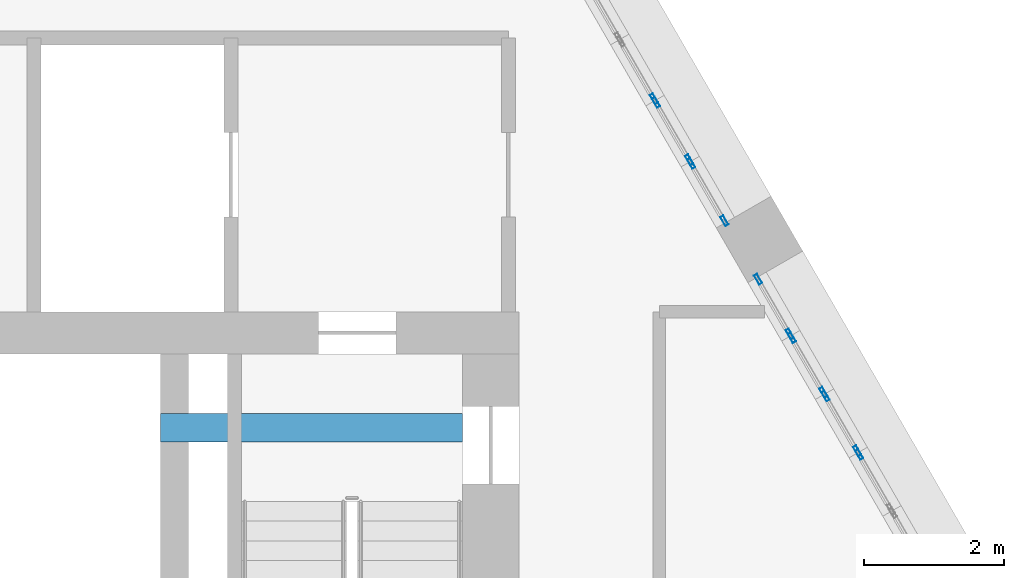
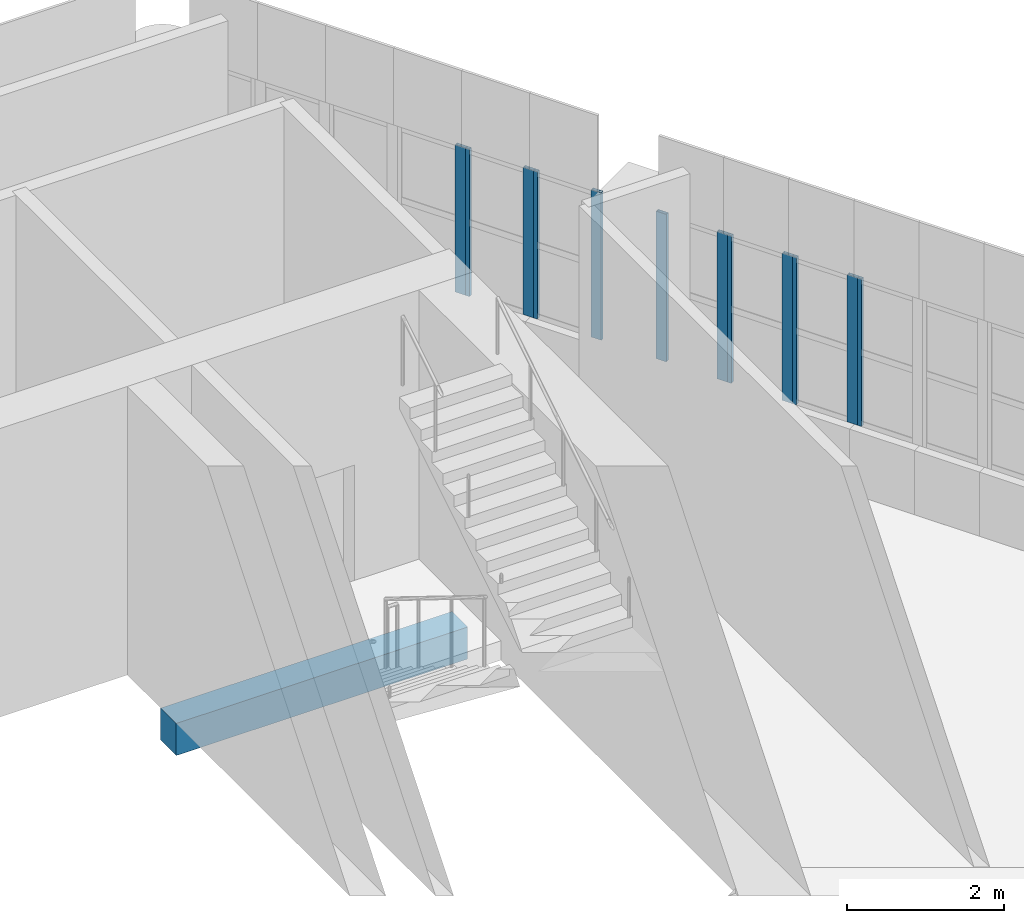
# One storey, part 8 of 23: 12 members, 1 beam, 7 elements without a shape of their own.
"""IFC4 building model written with IfcOpenShell, lengths in metres."""

from ifc_helpers import new_model, si_unit, direction, frame, origin, origin_2d, place, context, subcontext, project, spatial, rectangle, hollow_rectangle, extrude, material, material_profile, profile_set, type_object, element, aggregate, save


model = new_model("IFC4")

# Units and contexts
model_context = context("Model", 3, precision=1e-05, world=origin(), true_north=direction((0.0, 1.0)))
body_context = subcontext(model_context, "Body", "Model", "MODEL_VIEW")
ifc_project = project(units=[si_unit("LENGTHUNIT", "METRE"), si_unit("AREAUNIT", "SQUARE_METRE"), si_unit("VOLUMEUNIT", "CUBIC_METRE"), si_unit("PLANEANGLEUNIT", "RADIAN"), si_unit("MASSUNIT", "GRAM", prefix="KILO")], contexts=[model_context])

# Site, building, storey
site_placement = place(None, origin())
site = spatial("IfcSite", under=ifc_project, at=site_placement, CompositionType="ELEMENT")
building_placement = place(site_placement, origin())
building = spatial("IfcBuilding", under=site, at=building_placement, Name="Ostrander Bayou Hotel Tower", CompositionType="ELEMENT")
storey_placement = place(building_placement, frame((0.0, 0.0, 279.5)))
storey = spatial("IfcBuildingStorey", under=building, at=storey_placement, Name="L69", CompositionType="ELEMENT", Elevation=279.5)

# Curtain wall, member
ifc_material_1 = material(Name="Aluminium and clear glass", Category="aluminium")
curtain_wall_type = type_object("IfcCurtainWallType", Name="CW-CROWN glazed wall", PredefinedType="NOTDEFINED", material=ifc_material_1)
curtain_wall_1_placement = place(storey_placement, origin())
curtain_wall_1 = element("IfcCurtainWall", 1, at=curtain_wall_1_placement, inside=storey, type_object=curtain_wall_type, Name="CW-CROWN L69:NE-2-3", PredefinedType="NOTDEFINED")
ifc_material_2 = material(Name="Aluminium", Category="aluminium")
ifc_material_profile_1 = material_profile(ifc_material_2, hollow_rectangle(XDim=0.050048828125, YDim=0.14990234375, WallThickness=0.00390625, at=origin_2d()))
ifc_profile_set_1 = profile_set([ifc_material_profile_1], Name="Aluminium")
member_type = type_object("IfcMemberType", Name="CW-CR mullion 50 x 150 mm", PredefinedType="MULLION", material=ifc_profile_set_1)
member_1_placement = place(storey_placement, frame((13.34619140625, 7.6708984375, 1.0), z_axis=(0.0, 0.0, 1.0), x_axis=(-0.866048535364, -0.499959932788, 0.0)))
member_1 = element("IfcMember", 2, at=member_1_placement, type_object=member_type, Name="CW-CROWN mullion 2", PredefinedType="MULLION", context=body_context, shape_type="SweptSolid", body=[
    extrude(hollow_rectangle(XDim=0.050048828125, YDim=0.14990234375, WallThickness=0.00390625, at=origin_2d()), origin(), (0.0, 0.0, 1.0), 2.300048828125),
])
aggregate(curtain_wall_1, [member_1])

# Curtain wall, members
curtain_wall_2_placement = place(storey_placement, origin())
curtain_wall_2 = element("IfcCurtainWall", 3, at=curtain_wall_2_placement, inside=storey, type_object=curtain_wall_type, Name="CW-CROWN L69:NE-2-4", PredefinedType="NOTDEFINED")
member_2_placement = place(storey_placement, frame((13.316162109375, 7.722900390625, 1.0), z_axis=(0.0, 0.0, 1.0), x_axis=(-0.866022491007, -0.500005045044, 0.0)))
member_2 = element("IfcMember", 4, at=member_2_placement, type_object=member_type, Name="CW-CROWN mullion 1", PredefinedType="MULLION", context=body_context, shape_type="SweptSolid", body=[
    extrude(hollow_rectangle(XDim=0.050048828125, YDim=0.14990234375, WallThickness=0.00390625, at=origin_2d()), origin(), (0.0, 0.0, 1.0), 2.300048828125),
])
member_3_placement = place(storey_placement, frame((12.8662109375, 8.501953125, 1.0), z_axis=(0.0, 0.0, 1.0), x_axis=(-0.866022491007, -0.500005045044, 0.0)))
member_3 = element("IfcMember", 5, at=member_3_placement, type_object=member_type, Name="CW-CROWN mullion 2", PredefinedType="MULLION", context=body_context, shape_type="SweptSolid", body=[
    extrude(hollow_rectangle(XDim=0.050048828125, YDim=0.14990234375, WallThickness=0.00390625, at=origin_2d()), origin(), (0.0, 0.0, 1.0), 2.300048828125),
])
aggregate(curtain_wall_2, [member_2, member_3])

curtain_wall_3_placement = place(storey_placement, origin())
curtain_wall_3 = element("IfcCurtainWall", 6, at=curtain_wall_3_placement, inside=storey, type_object=curtain_wall_type, Name="CW-CROWN L69:NE-2-5", PredefinedType="NOTDEFINED")
member_4_placement = place(storey_placement, frame((12.836181640625, 8.553955078125, 1.0), z_axis=(0.0, 0.0, 1.0), x_axis=(-0.866022491007, -0.500005045044, 0.0)))
member_4 = element("IfcMember", 7, at=member_4_placement, type_object=member_type, Name="CW-CROWN mullion 1", PredefinedType="MULLION", context=body_context, shape_type="SweptSolid", body=[
    extrude(hollow_rectangle(XDim=0.050048828125, YDim=0.14990234375, WallThickness=0.00390625, at=origin_2d()), origin(), (0.0, 0.0, 1.0), 2.300048828125),
])
member_5_placement = place(storey_placement, frame((12.386474609375, 9.333251953125, 1.0), z_axis=(0.0, 0.0, 1.0), x_axis=(-0.866022491007, -0.500005045044, 0.0)))
member_5 = element("IfcMember", 8, at=member_5_placement, type_object=member_type, Name="CW-CROWN mullion 2", PredefinedType="MULLION", context=body_context, shape_type="SweptSolid", body=[
    extrude(hollow_rectangle(XDim=0.050048828125, YDim=0.14990234375, WallThickness=0.00390625, at=origin_2d()), origin(), (0.0, 0.0, 1.0), 2.300048828125),
])
aggregate(curtain_wall_3, [member_4, member_5])

curtain_wall_4_placement = place(storey_placement, origin())
curtain_wall_4 = element("IfcCurtainWall", 9, at=curtain_wall_4_placement, inside=storey, type_object=curtain_wall_type, Name="CW-CROWN L69:NE-2-6", PredefinedType="NOTDEFINED")
member_6_placement = place(storey_placement, frame((12.3564453125, 9.38525390625, 1.0), z_axis=(0.0, 0.0, 1.0), x_axis=(-0.866022491007, -0.500005045044, 0.0)))
member_6 = element("IfcMember", 10, at=member_6_placement, type_object=member_type, Name="CW-CROWN mullion 1", PredefinedType="MULLION", context=body_context, shape_type="SweptSolid", body=[
    extrude(hollow_rectangle(XDim=0.050048828125, YDim=0.14990234375, WallThickness=0.00390625, at=origin_2d()), origin(), (0.0, 0.0, 1.0), 2.300048828125),
])
member_7_placement = place(storey_placement, frame((11.906494140625, 10.164306640625, 1.0), z_axis=(0.0, 0.0, 1.0), x_axis=(-0.866022491007, -0.500005045044, 0.0)))
member_7 = element("IfcMember", 11, at=member_7_placement, type_object=member_type, Name="CW-CROWN mullion 2", PredefinedType="MULLION", context=body_context, shape_type="SweptSolid", body=[
    extrude(hollow_rectangle(XDim=0.050048828125, YDim=0.14990234375, WallThickness=0.00390625, at=origin_2d()), origin(), (0.0, 0.0, 1.0), 2.300048828125),
])
aggregate(curtain_wall_4, [member_6, member_7])

curtain_wall_5_placement = place(storey_placement, origin())
curtain_wall_5 = element("IfcCurtainWall", 12, at=curtain_wall_5_placement, inside=storey, type_object=curtain_wall_type, Name="CW-CROWN L69:NE-3-1", PredefinedType="NOTDEFINED")
member_8_placement = place(storey_placement, frame((11.426513671875, 10.995849609375, 1.0), z_axis=(0.0, 0.0, 1.0), x_axis=(-0.866026229865, -0.499998569184, 0.0)))
member_8 = element("IfcMember", 13, at=member_8_placement, type_object=member_type, Name="CW-CROWN mullion 1", PredefinedType="MULLION", context=body_context, shape_type="SweptSolid", body=[
    extrude(hollow_rectangle(XDim=0.050048828125, YDim=0.14990234375, WallThickness=0.00390625, at=origin_2d()), origin(), (0.0, 0.0, 1.0), 2.300048828125),
])
member_9_placement = place(storey_placement, frame((10.954833984375, 11.8125, 1.0), z_axis=(0.0, 0.0, 1.0), x_axis=(-0.866026229865, -0.499998569184, 0.0)))
member_9 = element("IfcMember", 14, at=member_9_placement, type_object=member_type, Name="CW-CROWN mullion 2", PredefinedType="MULLION", context=body_context, shape_type="SweptSolid", body=[
    extrude(hollow_rectangle(XDim=0.050048828125, YDim=0.14990234375, WallThickness=0.00390625, at=origin_2d()), origin(), (0.0, 0.0, 1.0), 2.300048828125),
])
aggregate(curtain_wall_5, [member_8, member_9])

curtain_wall_6_placement = place(storey_placement, origin())
curtain_wall_6 = element("IfcCurtainWall", 15, at=curtain_wall_6_placement, inside=storey, type_object=curtain_wall_type, Name="CW-CROWN L69:NE-3-2", PredefinedType="NOTDEFINED")
member_10_placement = place(storey_placement, frame((10.9248046875, 11.864501953125, 1.0), z_axis=(0.0, 0.0, 1.0), x_axis=(-0.866001306597, -0.50004173523, 0.0)))
member_10 = element("IfcMember", 16, at=member_10_placement, type_object=member_type, Name="CW-CROWN mullion 1", PredefinedType="MULLION", context=body_context, shape_type="SweptSolid", body=[
    extrude(hollow_rectangle(XDim=0.050048828125, YDim=0.14990234375, WallThickness=0.00390625, at=origin_2d()), origin(), (0.0, 0.0, 1.0), 2.300048828125),
])
member_11_placement = place(storey_placement, frame((10.453369140625, 12.681396484375, 1.0), z_axis=(0.0, 0.0, 1.0), x_axis=(-0.866001306597, -0.50004173523, 0.0)))
member_11 = element("IfcMember", 17, at=member_11_placement, type_object=member_type, Name="CW-CROWN mullion 2", PredefinedType="MULLION", context=body_context, shape_type="SweptSolid", body=[
    extrude(hollow_rectangle(XDim=0.050048828125, YDim=0.14990234375, WallThickness=0.00390625, at=origin_2d()), origin(), (0.0, 0.0, 1.0), 2.300048828125),
])
aggregate(curtain_wall_6, [member_10, member_11])

# Curtain wall, member
curtain_wall_7_placement = place(storey_placement, origin())
curtain_wall_7 = element("IfcCurtainWall", 18, at=curtain_wall_7_placement, inside=storey, type_object=curtain_wall_type, Name="CW-CROWN L69:NE-3-3", PredefinedType="NOTDEFINED")
member_12_placement = place(storey_placement, frame((10.42333984375, 12.7333984375, 1.0), z_axis=(0.0, 0.0, 1.0), x_axis=(-0.866069391736, -0.499923802893, 0.0)))
member_12 = element("IfcMember", 19, at=member_12_placement, type_object=member_type, Name="CW-CROWN mullion 1", PredefinedType="MULLION", context=body_context, shape_type="SweptSolid", body=[
    extrude(hollow_rectangle(XDim=0.050048828125, YDim=0.14990234375, WallThickness=0.00390625, at=origin_2d()), origin(), (0.0, 0.0, 1.0), 2.300048828125),
])
aggregate(curtain_wall_7, [member_12])

# Beam
ifc_material_3 = material(Name="Concrete f'c 60 MPa", Category="concrete")
ifc_material_profile_2 = material_profile(ifc_material_3, rectangle(XDim=0.39990234375, YDim=0.5, at=origin_2d()))
ifc_profile_set_2 = profile_set([ifc_material_profile_2], Name="Concrete f'c 60 MPa")
beam_type = type_object("IfcBeamType", Name="LD1 landing support beam 400 x 500 mm f'c 60 MPa", PredefinedType="BEAM", material=ifc_profile_set_2)
beam_placement = place(storey_placement, frame((7.699951171875, 8.050048828125, -0.550048828125), z_axis=(-1.0, 0.0, 0.0), x_axis=(0.0, -1.0, 0.0)))
element("IfcBeam", 20, at=beam_placement, inside=storey, type_object=beam_type, Name="LD1 L69 LANDING BEAM 002", PredefinedType="BEAM", context=body_context, shape_type="SweptSolid", body=[
    extrude(rectangle(XDim=0.39990234375, YDim=0.5, at=origin_2d()), origin(), (0.0, 0.0, 1.0), 4.300048828125),
])

save(model, "model.ifc")
